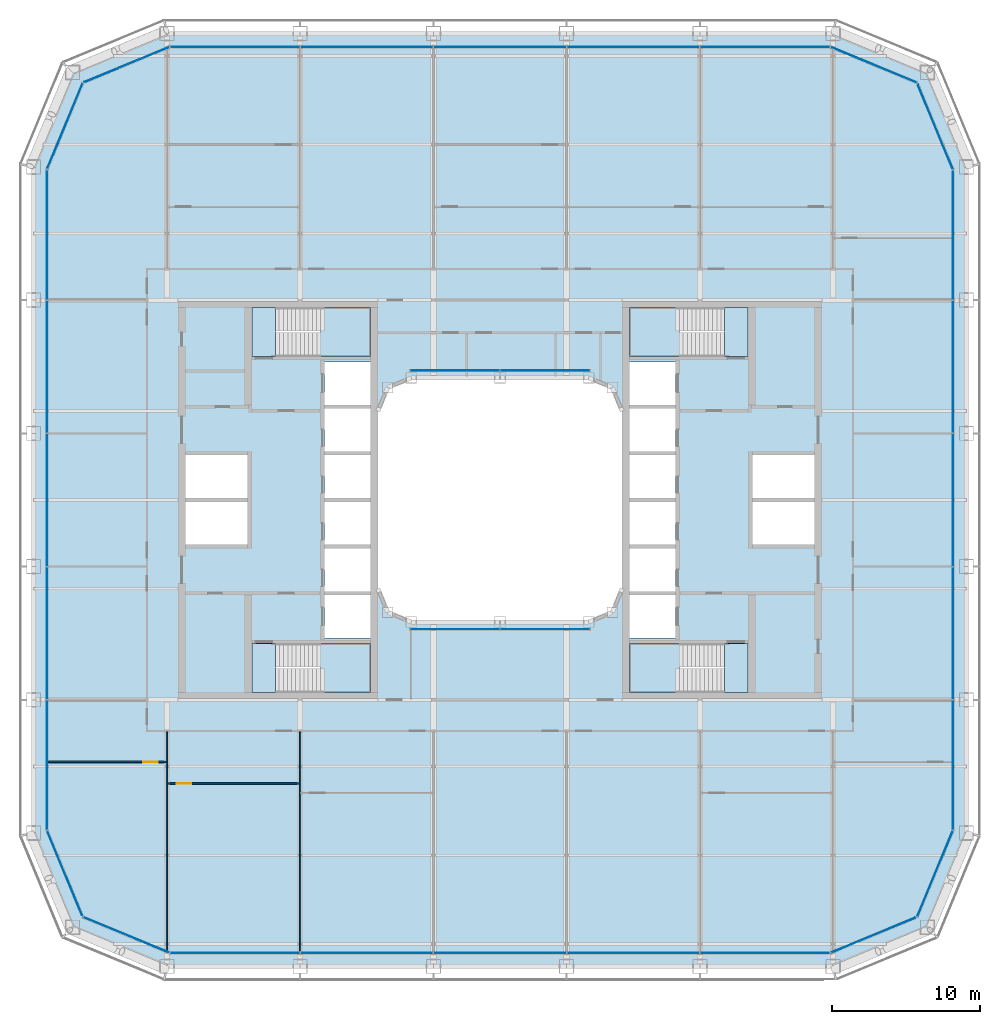
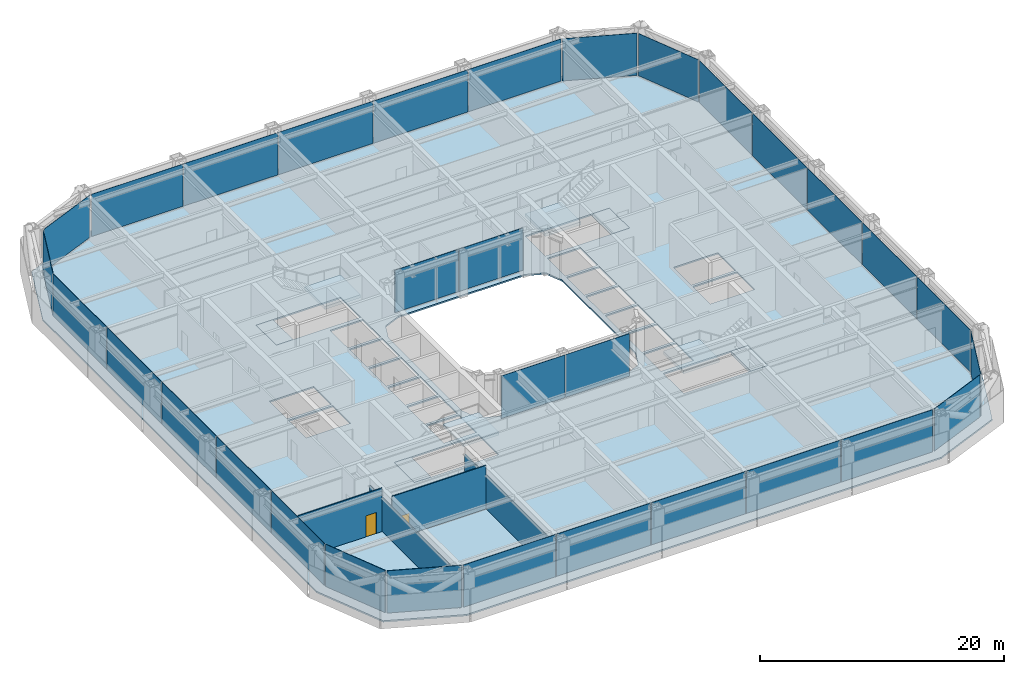
# One storey, part 11 of 25: 32 plates, 9 slabs, 4 walls, 2 doors, 2 openings, 18 elements without a shape of their own.
"""IFC4 building model written with IfcOpenShell, lengths in metres."""

from ifc_helpers import new_model, si_unit, direction, frame, frame_2d, origin, origin_2d, place, context, subcontext, project, spatial, polyline, rectangle, outline, extrude, material, layer, layer_set, type_object, element, fill, aggregate, save


model = new_model("IFC4")

# Units and contexts
model_context = context("Model", 3, precision=1e-05, world=origin(), true_north=direction((0.0, 1.0)))
body_context = subcontext(model_context, "Body", "Model", "MODEL_VIEW")
ifc_project = project(units=[si_unit("LENGTHUNIT", "METRE"), si_unit("AREAUNIT", "SQUARE_METRE"), si_unit("VOLUMEUNIT", "CUBIC_METRE"), si_unit("PLANEANGLEUNIT", "RADIAN"), si_unit("MASSUNIT", "GRAM", prefix="KILO")], contexts=[model_context])

# Site, building, storey
site_placement = place(None, origin())
site = spatial("IfcSite", under=ifc_project, at=site_placement, CompositionType="ELEMENT")
building_placement = place(site_placement, origin())
building = spatial("IfcBuilding", under=site, at=building_placement, Name="Siwar Civic Tower", CompositionType="ELEMENT")
storey_placement = place(building_placement, frame((0.0, 0.0, 58.199951171875)))
storey = spatial("IfcBuildingStorey", under=building, at=storey_placement, Name="L12", CompositionType="ELEMENT", Elevation=58.199951171875)

# Stair, slabs
ifc_material_1 = material(Name="Concrete C40/50", Category="concrete")
stair_type = type_object("IfcStairType", Name="CORE-STAIR", PredefinedType="TWO_STRAIGHT_RUN_STAIR", material=ifc_material_1)
stair_1_placement = place(storey_placement, origin())
stair_1 = element("IfcStair", 1, at=stair_1_placement, inside=storey, type_object=stair_type, Name="Exit stair ST1", PredefinedType="TWO_STRAIGHT_RUN_STAIR")
ifc_material_2 = material(Name="Concrete C40/50", Category="concrete")
ifc_layer_1 = layer(ifc_material_2, 0.300048828125)
ifc_layer_set_1 = layer_set([ifc_layer_1], Name="Concrete C40/50")
slab_type_1 = type_object("IfcSlabType", Name="CORE-STAIR-LANDING", PredefinedType="LANDING", material=ifc_layer_set_1)
slab_1_placement = place(storey_placement, frame((0.0, 0.0, -0.300048828125)))
slab_1 = element("IfcSlab", 2, at=slab_1_placement, type_object=slab_type_1, Name="ST1 landing 1", PredefinedType="LANDING", context=body_context, shape_type="SweptSolid", body=[
    extrude(outline(polyline([(-15.14990234375, 13.0), (-16.75, 13.0), (-16.75, 9.699951171875), (-15.14990234375, 9.699951171875), (-15.14990234375, 13.0)])), origin(), (0.0, 0.0, 1.0), 0.300048828125),
])
slab_2_placement = place(storey_placement, frame((0.0, 0.0, 1.949951171875)))
slab_2 = element("IfcSlab", 3, at=slab_2_placement, type_object=slab_type_1, Name="ST1 landing 2", PredefinedType="LANDING", context=body_context, shape_type="SweptSolid", body=[
    extrude(outline(polyline([(-8.75, 13.0), (-12.139892578125, 13.0), (-12.139892578125, 9.699951171875), (-8.75, 9.699951171875), (-8.75, 13.0)])), origin(), (0.0, 0.0, 1.0), 0.300048828125),
])
aggregate(stair_1, [slab_1, slab_2])

stair_2_placement = place(storey_placement, origin())
stair_2 = element("IfcStair", 4, at=stair_2_placement, inside=storey, type_object=stair_type, Name="Exit stair ST2", PredefinedType="TWO_STRAIGHT_RUN_STAIR")
slab_3_placement = place(storey_placement, frame((0.0, 0.0, -0.300048828125)))
slab_3 = element("IfcSlab", 5, at=slab_3_placement, type_object=slab_type_1, Name="ST2 landing 1", PredefinedType="LANDING", context=body_context, shape_type="SweptSolid", body=[
    extrude(outline(polyline([(-15.14990234375, -9.699951171875), (-16.75, -9.699951171875), (-16.75, -13.0), (-15.14990234375, -13.0), (-15.14990234375, -9.699951171875)])), origin(), (0.0, 0.0, 1.0), 0.300048828125),
])
slab_4_placement = place(storey_placement, frame((0.0, 0.0, 1.949951171875)))
slab_4 = element("IfcSlab", 6, at=slab_4_placement, type_object=slab_type_1, Name="ST2 landing 2", PredefinedType="LANDING", context=body_context, shape_type="SweptSolid", body=[
    extrude(outline(polyline([(-8.75, -9.699951171875), (-12.139892578125, -9.699951171875), (-12.139892578125, -13.0), (-8.75, -13.0), (-8.75, -9.699951171875)])), origin(), (0.0, 0.0, 1.0), 0.300048828125),
])
aggregate(stair_2, [slab_3, slab_4])

stair_3_placement = place(storey_placement, origin())
stair_3 = element("IfcStair", 7, at=stair_3_placement, inside=storey, type_object=stair_type, Name="Exit stair ST3", PredefinedType="TWO_STRAIGHT_RUN_STAIR")
slab_5_placement = place(storey_placement, frame((0.0, 0.0, -0.300048828125)))
slab_5 = element("IfcSlab", 8, at=slab_5_placement, type_object=slab_type_1, Name="ST3 landing 1", PredefinedType="LANDING", context=body_context, shape_type="SweptSolid", body=[
    extrude(outline(polyline([(15.14990234375, 9.699951171875), (16.75, 9.699951171875), (16.75, 13.0), (15.14990234375, 13.0), (15.14990234375, 9.699951171875)])), origin(), (0.0, 0.0, 1.0), 0.300048828125),
])
slab_6_placement = place(storey_placement, frame((0.0, 0.0, 1.949951171875)))
slab_6 = element("IfcSlab", 9, at=slab_6_placement, type_object=slab_type_1, Name="ST3 landing 2", PredefinedType="LANDING", context=body_context, shape_type="SweptSolid", body=[
    extrude(outline(polyline([(8.75, 9.699951171875), (12.139892578125, 9.699951171875), (12.139892578125, 13.0), (8.75, 13.0), (8.75, 9.699951171875)])), origin(), (0.0, 0.0, 1.0), 0.300048828125),
])
aggregate(stair_3, [slab_5, slab_6])

stair_4_placement = place(storey_placement, origin())
stair_4 = element("IfcStair", 10, at=stair_4_placement, inside=storey, type_object=stair_type, Name="Exit stair ST4", PredefinedType="TWO_STRAIGHT_RUN_STAIR")
slab_7_placement = place(storey_placement, frame((0.0, 0.0, -0.300048828125)))
slab_7 = element("IfcSlab", 11, at=slab_7_placement, type_object=slab_type_1, Name="ST4 landing 1", PredefinedType="LANDING", context=body_context, shape_type="SweptSolid", body=[
    extrude(outline(polyline([(15.14990234375, -13.0), (16.75, -13.0), (16.75, -9.699951171875), (15.14990234375, -9.699951171875), (15.14990234375, -13.0)])), origin(), (0.0, 0.0, 1.0), 0.300048828125),
])
slab_8_placement = place(storey_placement, frame((0.0, 0.0, 1.949951171875)))
slab_8 = element("IfcSlab", 12, at=slab_8_placement, type_object=slab_type_1, Name="ST4 landing 2", PredefinedType="LANDING", context=body_context, shape_type="SweptSolid", body=[
    extrude(outline(polyline([(8.75, -13.0), (12.139892578125, -13.0), (12.139892578125, -9.699951171875), (8.75, -9.699951171875), (8.75, -13.0)])), origin(), (0.0, 0.0, 1.0), 0.300048828125),
])
aggregate(stair_4, [slab_7, slab_8])

# Curtain wall, plates
ifc_material_3 = material(Name="Aluminium and glass", Category="aluminium")
ifc_layer_2 = layer(ifc_material_3, 0.219970703125)
ifc_layer_set_2 = layer_set([ifc_layer_2], Name="Aluminium and glass")
curtain_wall_type_1 = type_object("IfcCurtainWallType", Name="ENV-CW-A", PredefinedType="NOTDEFINED", material=ifc_layer_set_2)
curtain_wall_1_placement = place(storey_placement, origin())
curtain_wall_1 = element("IfcCurtainWall", 13, at=curtain_wall_1_placement, inside=storey, type_object=curtain_wall_type_1, Name="Curtain wall A S", PredefinedType="NOTDEFINED")
ifc_material_4 = material(Name="Glass clear laminated", Category="glass")
ifc_layer_3 = layer(ifc_material_4, 0.035888671875)
ifc_layer_set_3 = layer_set([ifc_layer_3], Name="Glass clear laminated")
plate_type_1 = type_object("IfcPlateType", Name="ENV-PANEL-A", PredefinedType="CURTAIN_PANEL", material=ifc_layer_set_3)
plate_1_placement = place(storey_placement, frame((-17.910400390625, -30.60009765625, 0.1201171875), z_axis=(0.0, 0.0, 1.0), x_axis=(1.0, 0.0, 0.0)))
plate_1 = element("IfcPlate", 14, at=plate_1_placement, type_object=plate_type_1, Name="Curtain panel A S 1", PredefinedType="CURTAIN_PANEL", context=body_context, shape_type="SweptSolid", body=[
    extrude(rectangle(XDim=8.7509765625, YDim=0.035888671875, at=origin_2d()), origin(), (0.0, 0.0, 1.0), 4.22998046875),
])
plate_2_placement = place(storey_placement, frame((-9.0, -30.60009765625, 0.1201171875), z_axis=(0.0, 0.0, 1.0), x_axis=(1.0, 0.0, 0.0)))
plate_2 = element("IfcPlate", 15, at=plate_2_placement, type_object=plate_type_1, Name="Curtain panel A S 2", PredefinedType="CURTAIN_PANEL", context=body_context, shape_type="SweptSolid", body=[
    extrude(rectangle(XDim=8.929931640625, YDim=0.035888671875, at=origin_2d()), origin(), (0.0, 0.0, 1.0), 4.22998046875),
])
plate_3_placement = place(storey_placement, frame((0.0, -30.60009765625, 0.1201171875), z_axis=(0.0, 0.0, 1.0), x_axis=(1.0, 0.0, 0.0)))
plate_3 = element("IfcPlate", 16, at=plate_3_placement, type_object=plate_type_1, Name="Curtain panel A S 3", PredefinedType="CURTAIN_PANEL", context=body_context, shape_type="SweptSolid", body=[
    extrude(rectangle(XDim=8.929931640625, YDim=0.035888671875, at=origin_2d()), origin(), (0.0, 0.0, 1.0), 4.22998046875),
])
plate_4_placement = place(storey_placement, frame((9.0, -30.60009765625, 0.1201171875), z_axis=(0.0, 0.0, 1.0), x_axis=(1.0, 0.0, 0.0)))
plate_4 = element("IfcPlate", 17, at=plate_4_placement, type_object=plate_type_1, Name="Curtain panel A S 4", PredefinedType="CURTAIN_PANEL", context=body_context, shape_type="SweptSolid", body=[
    extrude(rectangle(XDim=8.929931640625, YDim=0.035888671875, at=origin_2d()), origin(), (0.0, 0.0, 1.0), 4.22998046875),
])
plate_5_placement = place(storey_placement, frame((17.86669921875, -30.60009765625, 0.1201171875), z_axis=(0.0, 0.0, 1.0), x_axis=(1.0, 0.0, 0.0)))
plate_5 = element("IfcPlate", 18, at=plate_5_placement, type_object=plate_type_1, Name="Curtain panel A S 5", PredefinedType="CURTAIN_PANEL", context=body_context, shape_type="SweptSolid", body=[
    extrude(rectangle(XDim=8.663330078125, YDim=0.035888671875, at=origin_2d()), origin(), (0.0, 0.0, 1.0), 4.22998046875),
])
aggregate(curtain_wall_1, [plate_1, plate_2, plate_3, plate_4, plate_5])

curtain_wall_2_placement = place(storey_placement, origin())
curtain_wall_2 = element("IfcCurtainWall", 19, at=curtain_wall_2_placement, inside=storey, type_object=curtain_wall_type_1, Name="Curtain wall A E", PredefinedType="NOTDEFINED")
plate_6_placement = place(storey_placement, frame((30.60009765625, -17.910400390625, 0.1201171875), z_axis=(0.0, 0.0, 1.0), x_axis=(0.0, 1.0, 0.0)))
plate_6 = element("IfcPlate", 20, at=plate_6_placement, type_object=plate_type_1, Name="Curtain panel A E 1", PredefinedType="CURTAIN_PANEL", context=body_context, shape_type="SweptSolid", body=[
    extrude(rectangle(XDim=8.7509765625, YDim=0.035888671875, at=origin_2d()), origin(), (0.0, 0.0, 1.0), 4.22998046875),
])
plate_7_placement = place(storey_placement, frame((30.60009765625, -9.0, 0.1201171875), z_axis=(0.0, 0.0, 1.0), x_axis=(0.0, 1.0, 0.0)))
plate_7 = element("IfcPlate", 21, at=plate_7_placement, type_object=plate_type_1, Name="Curtain panel A E 2", PredefinedType="CURTAIN_PANEL", context=body_context, shape_type="SweptSolid", body=[
    extrude(rectangle(XDim=8.929931640625, YDim=0.035888671875, at=origin_2d()), origin(), (0.0, 0.0, 1.0), 4.22998046875),
])
plate_8_placement = place(storey_placement, frame((30.60009765625, 0.0, 0.1201171875), z_axis=(0.0, 0.0, 1.0), x_axis=(0.0, 1.0, 0.0)))
plate_8 = element("IfcPlate", 22, at=plate_8_placement, type_object=plate_type_1, Name="Curtain panel A E 3", PredefinedType="CURTAIN_PANEL", context=body_context, shape_type="SweptSolid", body=[
    extrude(rectangle(XDim=8.929931640625, YDim=0.035888671875, at=origin_2d()), origin(), (0.0, 0.0, 1.0), 4.22998046875),
])
plate_9_placement = place(storey_placement, frame((30.60009765625, 9.0, 0.1201171875), z_axis=(0.0, 0.0, 1.0), x_axis=(0.0, 1.0, 0.0)))
plate_9 = element("IfcPlate", 23, at=plate_9_placement, type_object=plate_type_1, Name="Curtain panel A E 4", PredefinedType="CURTAIN_PANEL", context=body_context, shape_type="SweptSolid", body=[
    extrude(rectangle(XDim=8.929931640625, YDim=0.035888671875, at=origin_2d()), origin(), (0.0, 0.0, 1.0), 4.22998046875),
])
plate_10_placement = place(storey_placement, frame((30.60009765625, 17.86669921875, 0.1201171875), z_axis=(0.0, 0.0, 1.0), x_axis=(0.0, 1.0, 0.0)))
plate_10 = element("IfcPlate", 24, at=plate_10_placement, type_object=plate_type_1, Name="Curtain panel A E 5", PredefinedType="CURTAIN_PANEL", context=body_context, shape_type="SweptSolid", body=[
    extrude(rectangle(XDim=8.663330078125, YDim=0.035888671875, at=origin_2d()), origin(), (0.0, 0.0, 1.0), 4.22998046875),
])
aggregate(curtain_wall_2, [plate_6, plate_7, plate_8, plate_9, plate_10])

curtain_wall_3_placement = place(storey_placement, origin())
curtain_wall_3 = element("IfcCurtainWall", 25, at=curtain_wall_3_placement, inside=storey, type_object=curtain_wall_type_1, Name="Curtain wall A N", PredefinedType="NOTDEFINED")
plate_11_placement = place(storey_placement, frame((17.910400390625, 30.60009765625, 0.1201171875), z_axis=(0.0, 0.0, 1.0), x_axis=(-1.0, 0.0, 0.0)))
plate_11 = element("IfcPlate", 26, at=plate_11_placement, type_object=plate_type_1, Name="Curtain panel A N 1", PredefinedType="CURTAIN_PANEL", context=body_context, shape_type="SweptSolid", body=[
    extrude(rectangle(XDim=8.7509765625, YDim=0.035888671875, at=origin_2d()), origin(), (0.0, 0.0, 1.0), 4.22998046875),
])
plate_12_placement = place(storey_placement, frame((9.0, 30.60009765625, 0.1201171875), z_axis=(0.0, 0.0, 1.0), x_axis=(-1.0, 0.0, 0.0)))
plate_12 = element("IfcPlate", 27, at=plate_12_placement, type_object=plate_type_1, Name="Curtain panel A N 2", PredefinedType="CURTAIN_PANEL", context=body_context, shape_type="SweptSolid", body=[
    extrude(rectangle(XDim=8.929931640625, YDim=0.035888671875, at=origin_2d()), origin(), (0.0, 0.0, 1.0), 4.22998046875),
])
plate_13_placement = place(storey_placement, frame((0.0, 30.60009765625, 0.1201171875), z_axis=(0.0, 0.0, 1.0), x_axis=(-1.0, 0.0, 0.0)))
plate_13 = element("IfcPlate", 28, at=plate_13_placement, type_object=plate_type_1, Name="Curtain panel A N 3", PredefinedType="CURTAIN_PANEL", context=body_context, shape_type="SweptSolid", body=[
    extrude(rectangle(XDim=8.929931640625, YDim=0.035888671875, at=origin_2d()), origin(), (0.0, 0.0, 1.0), 4.22998046875),
])
plate_14_placement = place(storey_placement, frame((-9.0, 30.60009765625, 0.1201171875), z_axis=(0.0, 0.0, 1.0), x_axis=(-1.0, 0.0, 0.0)))
plate_14 = element("IfcPlate", 29, at=plate_14_placement, type_object=plate_type_1, Name="Curtain panel A N 4", PredefinedType="CURTAIN_PANEL", context=body_context, shape_type="SweptSolid", body=[
    extrude(rectangle(XDim=8.929931640625, YDim=0.035888671875, at=origin_2d()), origin(), (0.0, 0.0, 1.0), 4.22998046875),
])
plate_15_placement = place(storey_placement, frame((-17.86669921875, 30.60009765625, 0.1201171875), z_axis=(0.0, 0.0, 1.0), x_axis=(-1.0, 0.0, 0.0)))
plate_15 = element("IfcPlate", 30, at=plate_15_placement, type_object=plate_type_1, Name="Curtain panel A N 5", PredefinedType="CURTAIN_PANEL", context=body_context, shape_type="SweptSolid", body=[
    extrude(rectangle(XDim=8.663330078125, YDim=0.035888671875, at=origin_2d()), origin(), (0.0, 0.0, 1.0), 4.22998046875),
])
aggregate(curtain_wall_3, [plate_11, plate_12, plate_13, plate_14, plate_15])

curtain_wall_4_placement = place(storey_placement, origin())
curtain_wall_4 = element("IfcCurtainWall", 31, at=curtain_wall_4_placement, inside=storey, type_object=curtain_wall_type_1, Name="Curtain wall A W", PredefinedType="NOTDEFINED")
plate_16_placement = place(storey_placement, frame((-30.60009765625, 17.910400390625, 0.1201171875), z_axis=(0.0, 0.0, 1.0), x_axis=(0.0, -1.0, 0.0)))
plate_16 = element("IfcPlate", 32, at=plate_16_placement, type_object=plate_type_1, Name="Curtain panel A W 1", PredefinedType="CURTAIN_PANEL", context=body_context, shape_type="SweptSolid", body=[
    extrude(rectangle(XDim=8.7509765625, YDim=0.035888671875, at=origin_2d()), origin(), (0.0, 0.0, 1.0), 4.22998046875),
])
plate_17_placement = place(storey_placement, frame((-30.60009765625, 9.0, 0.1201171875), z_axis=(0.0, 0.0, 1.0), x_axis=(0.0, -1.0, 0.0)))
plate_17 = element("IfcPlate", 33, at=plate_17_placement, type_object=plate_type_1, Name="Curtain panel A W 2", PredefinedType="CURTAIN_PANEL", context=body_context, shape_type="SweptSolid", body=[
    extrude(rectangle(XDim=8.929931640625, YDim=0.035888671875, at=origin_2d()), origin(), (0.0, 0.0, 1.0), 4.22998046875),
])
plate_18_placement = place(storey_placement, frame((-30.60009765625, 0.0, 0.1201171875), z_axis=(0.0, 0.0, 1.0), x_axis=(0.0, -1.0, 0.0)))
plate_18 = element("IfcPlate", 34, at=plate_18_placement, type_object=plate_type_1, Name="Curtain panel A W 3", PredefinedType="CURTAIN_PANEL", context=body_context, shape_type="SweptSolid", body=[
    extrude(rectangle(XDim=8.929931640625, YDim=0.035888671875, at=origin_2d()), origin(), (0.0, 0.0, 1.0), 4.22998046875),
])
plate_19_placement = place(storey_placement, frame((-30.60009765625, -9.0, 0.1201171875), z_axis=(0.0, 0.0, 1.0), x_axis=(0.0, -1.0, 0.0)))
plate_19 = element("IfcPlate", 35, at=plate_19_placement, type_object=plate_type_1, Name="Curtain panel A W 4", PredefinedType="CURTAIN_PANEL", context=body_context, shape_type="SweptSolid", body=[
    extrude(rectangle(XDim=8.929931640625, YDim=0.035888671875, at=origin_2d()), origin(), (0.0, 0.0, 1.0), 4.22998046875),
])
plate_20_placement = place(storey_placement, frame((-30.60009765625, -17.86669921875, 0.1201171875), z_axis=(0.0, 0.0, 1.0), x_axis=(0.0, -1.0, 0.0)))
plate_20 = element("IfcPlate", 36, at=plate_20_placement, type_object=plate_type_1, Name="Curtain panel A W 5", PredefinedType="CURTAIN_PANEL", context=body_context, shape_type="SweptSolid", body=[
    extrude(rectangle(XDim=8.663330078125, YDim=0.035888671875, at=origin_2d()), origin(), (0.0, 0.0, 1.0), 4.22998046875),
])
aggregate(curtain_wall_4, [plate_16, plate_17, plate_18, plate_19, plate_20])

# Curtain wall, plate
ifc_material_5 = material(Name="Aluminium clad insulated panel", Category="aluminium")
ifc_layer_4 = layer(ifc_material_5, 0.219970703125)
ifc_layer_set_4 = layer_set([ifc_layer_4], Name="Aluminium clad insulated panel")
curtain_wall_type_2 = type_object("IfcCurtainWallType", Name="ENV-CW-AX", PredefinedType="NOTDEFINED", material=ifc_layer_set_4)
curtain_wall_5_placement = place(storey_placement, origin())
curtain_wall_5 = element("IfcCurtainWall", 37, at=curtain_wall_5_placement, inside=storey, type_object=curtain_wall_type_2, Name="Curtain wall A SE1", PredefinedType="NOTDEFINED")
ifc_material_6 = material(Name="Aluminium clad insulated panel", Category="aluminium")
ifc_layer_5 = layer(ifc_material_6, 0.035888671875)
ifc_layer_set_5 = layer_set([ifc_layer_5], Name="Aluminium clad insulated panel")
plate_type_2 = type_object("IfcPlateType", Name="ENV-PANEL-AX", PredefinedType="CURTAIN_PANEL", material=ifc_layer_set_5)
plate_21_placement = place(storey_placement, frame((25.20751953125, -29.404296875, 0.1201171875), z_axis=(0.0, 0.0, 1.0), x_axis=(0.923879532511, 0.382683432365, 0.0)))
plate_21 = element("IfcPlate", 38, at=plate_21_placement, type_object=plate_type_2, Name="Curtain panel A SE1 1", PredefinedType="CURTAIN_PANEL", context=body_context, shape_type="SweptSolid", body=[
    extrude(rectangle(XDim=6.178955078125, YDim=0.035888671875, at=origin_2d()), origin(), (0.0, 0.0, 1.0), 4.22998046875),
])
aggregate(curtain_wall_5, [plate_21])

curtain_wall_6_placement = place(storey_placement, origin())
curtain_wall_6 = element("IfcCurtainWall", 39, at=curtain_wall_6_placement, inside=storey, type_object=curtain_wall_type_2, Name="Curtain wall A SE2", PredefinedType="NOTDEFINED")
plate_22_placement = place(storey_placement, frame((29.370849609375, -25.28857421875, 0.1201171875), z_axis=(0.0, 0.0, 1.0), x_axis=(0.382683432365, 0.923879532511, 0.0)))
plate_22 = element("IfcPlate", 40, at=plate_22_placement, type_object=plate_type_2, Name="Curtain panel A SE2 1", PredefinedType="CURTAIN_PANEL", context=body_context, shape_type="SweptSolid", body=[
    extrude(rectangle(XDim=6.178955078125, YDim=0.035888671875, at=origin_2d()), origin(), (0.0, 0.0, 1.0), 4.22998046875),
])
aggregate(curtain_wall_6, [plate_22])

curtain_wall_7_placement = place(storey_placement, origin())
curtain_wall_7 = element("IfcCurtainWall", 41, at=curtain_wall_7_placement, inside=storey, type_object=curtain_wall_type_2, Name="Curtain wall A NE1", PredefinedType="NOTDEFINED")
plate_23_placement = place(storey_placement, frame((29.404296875, 25.20751953125, 0.1201171875), z_axis=(0.0, 0.0, 1.0), x_axis=(-0.382683432365, 0.923879532511, 0.0)))
plate_23 = element("IfcPlate", 42, at=plate_23_placement, type_object=plate_type_2, Name="Curtain panel A NE1 1", PredefinedType="CURTAIN_PANEL", context=body_context, shape_type="SweptSolid", body=[
    extrude(rectangle(XDim=6.178955078125, YDim=0.035888671875, at=origin_2d()), origin(), (0.0, 0.0, 1.0), 4.22998046875),
])
aggregate(curtain_wall_7, [plate_23])

curtain_wall_8_placement = place(storey_placement, origin())
curtain_wall_8 = element("IfcCurtainWall", 43, at=curtain_wall_8_placement, inside=storey, type_object=curtain_wall_type_2, Name="Curtain wall A NE2", PredefinedType="NOTDEFINED")
plate_24_placement = place(storey_placement, frame((25.28857421875, 29.370849609375, 0.1201171875), z_axis=(0.0, 0.0, 1.0), x_axis=(-0.923879532511, 0.382683432365, 0.0)))
plate_24 = element("IfcPlate", 44, at=plate_24_placement, type_object=plate_type_2, Name="Curtain panel A NE2 1", PredefinedType="CURTAIN_PANEL", context=body_context, shape_type="SweptSolid", body=[
    extrude(rectangle(XDim=6.178955078125, YDim=0.035888671875, at=origin_2d()), origin(), (0.0, 0.0, 1.0), 4.22998046875),
])
aggregate(curtain_wall_8, [plate_24])

curtain_wall_9_placement = place(storey_placement, origin())
curtain_wall_9 = element("IfcCurtainWall", 45, at=curtain_wall_9_placement, inside=storey, type_object=curtain_wall_type_2, Name="Curtain wall A NW1", PredefinedType="NOTDEFINED")
plate_25_placement = place(storey_placement, frame((-25.20751953125, 29.404296875, 0.1201171875), z_axis=(0.0, 0.0, 1.0), x_axis=(-0.923879532511, -0.382683432365, 0.0)))
plate_25 = element("IfcPlate", 46, at=plate_25_placement, type_object=plate_type_2, Name="Curtain panel A NW1 1", PredefinedType="CURTAIN_PANEL", context=body_context, shape_type="SweptSolid", body=[
    extrude(rectangle(XDim=6.178955078125, YDim=0.035888671875, at=origin_2d()), origin(), (0.0, 0.0, 1.0), 4.22998046875),
])
aggregate(curtain_wall_9, [plate_25])

curtain_wall_10_placement = place(storey_placement, origin())
curtain_wall_10 = element("IfcCurtainWall", 47, at=curtain_wall_10_placement, inside=storey, type_object=curtain_wall_type_2, Name="Curtain wall A NW2", PredefinedType="NOTDEFINED")
plate_26_placement = place(storey_placement, frame((-29.370849609375, 25.28857421875, 0.1201171875), z_axis=(0.0, 0.0, 1.0), x_axis=(-0.382683432365, -0.923879532511, 0.0)))
plate_26 = element("IfcPlate", 48, at=plate_26_placement, type_object=plate_type_2, Name="Curtain panel A NW2 1", PredefinedType="CURTAIN_PANEL", context=body_context, shape_type="SweptSolid", body=[
    extrude(rectangle(XDim=6.178955078125, YDim=0.035888671875, at=origin_2d()), origin(), (0.0, 0.0, 1.0), 4.22998046875),
])
aggregate(curtain_wall_10, [plate_26])

curtain_wall_11_placement = place(storey_placement, origin())
curtain_wall_11 = element("IfcCurtainWall", 49, at=curtain_wall_11_placement, inside=storey, type_object=curtain_wall_type_2, Name="Curtain wall A SW1", PredefinedType="NOTDEFINED")
plate_27_placement = place(storey_placement, frame((-29.404296875, -25.20751953125, 0.1201171875), z_axis=(0.0, 0.0, 1.0), x_axis=(0.382683432365, -0.923879532511, 0.0)))
plate_27 = element("IfcPlate", 50, at=plate_27_placement, type_object=plate_type_2, Name="Curtain panel A SW1 1", PredefinedType="CURTAIN_PANEL", context=body_context, shape_type="SweptSolid", body=[
    extrude(rectangle(XDim=6.178955078125, YDim=0.035888671875, at=origin_2d()), origin(), (0.0, 0.0, 1.0), 4.22998046875),
])
aggregate(curtain_wall_11, [plate_27])

curtain_wall_12_placement = place(storey_placement, origin())
curtain_wall_12 = element("IfcCurtainWall", 51, at=curtain_wall_12_placement, inside=storey, type_object=curtain_wall_type_2, Name="Curtain wall A SW2", PredefinedType="NOTDEFINED")
plate_28_placement = place(storey_placement, frame((-25.28857421875, -29.370849609375, 0.1201171875), z_axis=(0.0, 0.0, 1.0), x_axis=(0.923879532511, -0.382683432365, 0.0)))
plate_28 = element("IfcPlate", 52, at=plate_28_placement, type_object=plate_type_2, Name="Curtain panel A SW2 1", PredefinedType="CURTAIN_PANEL", context=body_context, shape_type="SweptSolid", body=[
    extrude(rectangle(XDim=6.178955078125, YDim=0.035888671875, at=origin_2d()), origin(), (0.0, 0.0, 1.0), 4.22998046875),
])
aggregate(curtain_wall_12, [plate_28])

# Curtain wall, plates
ifc_material_7 = material(Name="Aluminium and glass", Category="aluminium")
ifc_layer_6 = layer(ifc_material_7, 0.179931640625)
ifc_layer_set_6 = layer_set([ifc_layer_6], Name="Aluminium and glass")
curtain_wall_type_3 = type_object("IfcCurtainWallType", Name="ENV-CW-W", PredefinedType="NOTDEFINED", material=ifc_layer_set_6)
curtain_wall_13_placement = place(storey_placement, origin())
curtain_wall_13 = element("IfcCurtainWall", 53, at=curtain_wall_13_placement, inside=storey, type_object=curtain_wall_type_3, Name="Curtain wall W WS", PredefinedType="NOTDEFINED")
ifc_material_8 = material(Name="Glass clear laminated", Category="glass")
ifc_layer_7 = layer(ifc_material_8, 0.031982421875)
ifc_layer_set_7 = layer_set([ifc_layer_7], Name="Glass clear laminated")
plate_type_3 = type_object("IfcPlateType", Name="ENV-PANEL-W", PredefinedType="CURTAIN_PANEL", material=ifc_layer_set_7)
plate_29_placement = place(storey_placement, frame((-3.04833984375, -8.735107421875, 0.10009765625), z_axis=(0.0, 0.0, 1.0), x_axis=(1.0, 0.0, 0.0)))
plate_29 = element("IfcPlate", 54, at=plate_29_placement, type_object=plate_type_3, Name="Curtain panel W WS 1", PredefinedType="CURTAIN_PANEL", context=body_context, shape_type="SweptSolid", body=[
    extrude(rectangle(XDim=6.036376953125, YDim=0.031982421875, at=origin_2d()), origin(), (0.0, 0.0, 1.0), 4.25),
])
plate_30_placement = place(storey_placement, frame((3.04833984375, -8.735107421875, 0.10009765625), z_axis=(0.0, 0.0, 1.0), x_axis=(1.0, 0.0, 0.0)))
plate_30 = element("IfcPlate", 55, at=plate_30_placement, type_object=plate_type_3, Name="Curtain panel W WS 2", PredefinedType="CURTAIN_PANEL", context=body_context, shape_type="SweptSolid", body=[
    extrude(rectangle(XDim=6.036376953125, YDim=0.031982421875, at=origin_2d()), origin(), (0.0, 0.0, 1.0), 4.25),
])
aggregate(curtain_wall_13, [plate_29, plate_30])

curtain_wall_14_placement = place(storey_placement, origin())
curtain_wall_14 = element("IfcCurtainWall", 56, at=curtain_wall_14_placement, inside=storey, type_object=curtain_wall_type_3, Name="Curtain wall W WN", PredefinedType="NOTDEFINED")
plate_31_placement = place(storey_placement, frame((3.04833984375, 8.735107421875, 0.10009765625), z_axis=(0.0, 0.0, 1.0), x_axis=(-1.0, 0.0, 0.0)))
plate_31 = element("IfcPlate", 57, at=plate_31_placement, type_object=plate_type_3, Name="Curtain panel W WN 1", PredefinedType="CURTAIN_PANEL", context=body_context, shape_type="SweptSolid", body=[
    extrude(rectangle(XDim=6.036376953125, YDim=0.031982421875, at=origin_2d()), origin(), (0.0, 0.0, 1.0), 4.25),
])
plate_32_placement = place(storey_placement, frame((-3.04833984375, 8.735107421875, 0.10009765625), z_axis=(0.0, 0.0, 1.0), x_axis=(-1.0, 0.0, 0.0)))
plate_32 = element("IfcPlate", 58, at=plate_32_placement, type_object=plate_type_3, Name="Curtain panel W WN 2", PredefinedType="CURTAIN_PANEL", context=body_context, shape_type="SweptSolid", body=[
    extrude(rectangle(XDim=6.036376953125, YDim=0.031982421875, at=origin_2d()), origin(), (0.0, 0.0, 1.0), 4.25),
])
aggregate(curtain_wall_14, [plate_31, plate_32])

# Slab
ifc_material_9 = material(Name="Concrete C40/50", Category="concrete")
ifc_layer_8 = layer(ifc_material_9, 0.14990234375)
ifc_layer_set_8 = layer_set([ifc_layer_8], Name="Concrete C40/50")
slab_type_2 = type_object("IfcSlabType", Name="STR-FLOOR-DECK-150", PredefinedType="FLOOR", material=ifc_layer_set_8)
slab_9_placement = place(storey_placement, frame((0.0, 0.0, -0.14990234375)))
element("IfcSlab", 59, at=slab_9_placement, inside=storey, type_object=slab_type_2, Name="L12/slab/1", PredefinedType="FLOOR", context=body_context, shape_type="SweptSolid", body=[
    extrude(outline(polyline([(-22.5, -31.5), (22.5, -31.5), (28.864013671875, -28.864013671875), (31.5, -22.5), (31.5, 22.5), (28.864013671875, 28.864013671875), (22.5, 31.5), (-22.5, 31.5), (-28.864013671875, 28.864013671875), (-31.5, 22.5), (-31.5, -22.5), (-28.864013671875, -28.864013671875), (-22.5, -31.5)]), holes=[polyline([(21.25, 3.02490234375), (21.25, 0.125), (17.050048828125, 0.125), (17.050048828125, 3.02490234375), (21.25, 3.02490234375)]), polyline([(17.050048828125, -0.125), (21.25, -0.125), (21.25, -3.02490234375), (17.050048828125, -3.02490234375), (17.050048828125, -0.125)]), polyline([(16.75, 13.0), (16.75, 9.699951171875), (8.75, 9.699951171875), (8.75, 13.0), (16.75, 13.0)]), polyline([(8.75, -9.699951171875), (16.75, -9.699951171875), (16.75, -13.0), (8.75, -13.0), (8.75, -9.699951171875)]), polyline([(11.85009765625, 9.324951171875), (11.85009765625, 6.425048828125), (8.75, 6.425048828125), (8.75, 9.324951171875), (11.85009765625, 9.324951171875)]), polyline([(11.85009765625, 3.02490234375), (11.85009765625, 0.125), (8.75, 0.125), (8.75, 3.02490234375), (11.85009765625, 3.02490234375)]), polyline([(11.85009765625, -0.125), (11.85009765625, -3.02490234375), (8.75, -3.02490234375), (8.75, -0.125), (11.85009765625, -0.125)]), polyline([(11.85009765625, -3.27490234375), (11.85009765625, -6.175048828125), (8.75, -6.175048828125), (8.75, -3.27490234375), (11.85009765625, -3.27490234375)]), polyline([(8.75, 6.175048828125), (11.85009765625, 6.175048828125), (11.85009765625, 3.27490234375), (8.75, 3.27490234375), (8.75, 6.175048828125)]), polyline([(8.75, -6.425048828125), (11.85009765625, -6.425048828125), (11.85009765625, -9.324951171875), (8.75, -9.324951171875), (8.75, -6.425048828125)]), polyline([(-6.0, 8.25), (6.0, 8.25), (7.591064453125, 7.591064453125), (8.25, 6.0), (8.25, -6.0), (7.591064453125, -7.591064453125), (6.0, -8.25), (-6.0, -8.25), (-7.591064453125, -7.591064453125), (-8.25, -6.0), (-8.25, 6.0), (-7.591064453125, 7.591064453125), (-6.0, 8.25)]), polyline([(-8.75, 9.699951171875), (-16.75, 9.699951171875), (-16.75, 13.0), (-8.75, 13.0), (-8.75, 9.699951171875)]), polyline([(-8.75, 0.125), (-11.85009765625, 0.125), (-11.85009765625, 3.02490234375), (-8.75, 3.02490234375), (-8.75, 0.125)]), polyline([(-8.75, -6.175048828125), (-11.85009765625, -6.175048828125), (-11.85009765625, -3.27490234375), (-8.75, -3.27490234375), (-8.75, -6.175048828125)]), polyline([(-8.75, -9.324951171875), (-11.85009765625, -9.324951171875), (-11.85009765625, -6.425048828125), (-8.75, -6.425048828125), (-8.75, -9.324951171875)]), polyline([(-8.75, -13.0), (-16.75, -13.0), (-16.75, -9.699951171875), (-8.75, -9.699951171875), (-8.75, -13.0)]), polyline([(-11.85009765625, 6.425048828125), (-11.85009765625, 9.324951171875), (-8.75, 9.324951171875), (-8.75, 6.425048828125), (-11.85009765625, 6.425048828125)]), polyline([(-11.85009765625, 3.27490234375), (-11.85009765625, 6.175048828125), (-8.75, 6.175048828125), (-8.75, 3.27490234375), (-11.85009765625, 3.27490234375)]), polyline([(-11.85009765625, -3.02490234375), (-11.85009765625, -0.125), (-8.75, -0.125), (-8.75, -3.02490234375), (-11.85009765625, -3.02490234375)]), polyline([(-21.25, -3.02490234375), (-21.25, -0.125), (-17.050048828125, -0.125), (-17.050048828125, -3.02490234375), (-21.25, -3.02490234375)]), polyline([(-17.050048828125, 0.125), (-21.25, 0.125), (-21.25, 3.02490234375), (-17.050048828125, 3.02490234375), (-17.050048828125, 0.125)])]), origin(), (0.0, 0.0, 1.0), 0.14990234375),
])

# Wall, opening, door
ifc_material_10 = material(Name="Gypsum board on steel studs", Category="steel")
ifc_layer_9 = layer(ifc_material_10, 0.10009765625)
ifc_layer_set_9 = layer_set([ifc_layer_9], Name="Gypsum board on steel studs")
wall_type = type_object("IfcWallType", Name="PARTITION 100 GYPSUM", PredefinedType="PARTITIONING", material=ifc_layer_set_9)
wall_1_placement = place(storey_placement, frame((-22.449951171875, -19.159912109375, 0.0), z_axis=(0.0, 0.0, 1.0), x_axis=(1.0, 0.0, 0.0)))
wall_1 = element("IfcWall", 60, at=wall_1_placement, inside=storey, type_object=wall_type, Name="L12/wall/P03", PredefinedType="PARTITIONING", context=body_context, shape_type="SweptSolid", body=[
    extrude(rectangle(XDim=8.89990234375, YDim=0.10009765625, at=frame_2d((4.449951171875, 0.0))), origin(), (0.0, 0.0, 1.0), 4.35009765625),
])
opening_1_placement = place(wall_1_placement, frame((0.60009765625, 0.0, 0.0)))
opening_1 = element("IfcOpeningElement", 61, at=opening_1_placement, cuts=wall_1, Name="Opening D2", PredefinedType="OPENING", context=body_context, shape_type="SweptSolid", body=[
    extrude(rectangle(XDim=1.0, YDim=2.10009765625, at=frame_2d((0.5, 1.050048828125))), frame((0.0, 0.06005859375, 0.0), z_axis=(0.0, -1.0, 0.0), x_axis=(1.0, 0.0, 0.0)), (0.0, 0.0, 1.0), 0.1201171875),
])
ifc_material_11 = material(Name="Timber, painted", Category="wood")
door_type = type_object("IfcDoorType", Name="DOOR 1000 X 2100", OperationType="SINGLE_SWING_LEFT", PredefinedType="DOOR", material=ifc_material_11)
door_1_placement = place(opening_1_placement, origin())
door_1 = element("IfcDoor", 62, at=door_1_placement, inside=storey, type_object=door_type, Name="L12-D13", OperationType="SINGLE_SWING_LEFT", OverallHeight=2.10009765625, OverallWidth=1.0, PredefinedType="DOOR", context=body_context, shape_type="SweptSolid", body=[
    extrude(rectangle(XDim=1.0, YDim=2.10009765625, at=frame_2d((0.5, 1.050048828125))), frame((0.0, 0.02490234375, 0.0), z_axis=(0.0, -1.0, 0.0), x_axis=(1.0, 0.0, 0.0)), (0.0, 0.0, 1.0), 0.050048828125),
])
fill(opening_1, door_1)

wall_2_placement = place(storey_placement, frame((-30.510009765625, -17.699951171875, 0.0), z_axis=(0.0, 0.0, 1.0), x_axis=(1.0, 0.0, 0.0)))
wall_2 = element("IfcWall", 63, at=wall_2_placement, inside=storey, type_object=wall_type, Name="L12/wall/P04", PredefinedType="PARTITIONING", context=body_context, shape_type="SweptSolid", body=[
    extrude(rectangle(XDim=7.9599609375, YDim=0.10009765625, at=frame_2d((3.97998046875, 0.0))), origin(), (0.0, 0.0, 1.0), 4.35009765625),
])
opening_2_placement = place(wall_2_placement, frame((6.39990234375, 0.0, 0.0)))
opening_2 = element("IfcOpeningElement", 64, at=opening_2_placement, cuts=wall_2, Name="Opening D2", PredefinedType="OPENING", context=body_context, shape_type="SweptSolid", body=[
    extrude(rectangle(XDim=1.0, YDim=2.10009765625, at=frame_2d((0.5, 1.050048828125))), frame((0.0, 0.06005859375, 0.0), z_axis=(0.0, -1.0, 0.0), x_axis=(1.0, 0.0, 0.0)), (0.0, 0.0, 1.0), 0.1201171875),
])
door_2_placement = place(opening_2_placement, origin())
door_2 = element("IfcDoor", 65, at=door_2_placement, inside=storey, type_object=door_type, Name="L12-D24", OperationType="SINGLE_SWING_RIGHT", OverallHeight=2.10009765625, OverallWidth=1.0, PredefinedType="DOOR", context=body_context, shape_type="SweptSolid", body=[
    extrude(rectangle(XDim=1.0, YDim=2.10009765625, at=frame_2d((0.5, 1.050048828125))), frame((0.0, 0.02490234375, 0.0), z_axis=(0.0, -1.0, 0.0), x_axis=(1.0, 0.0, 0.0)), (0.0, 0.0, 1.0), 0.050048828125),
])
fill(opening_2, door_2)

# Walls
wall_3_placement = place(storey_placement, frame((-22.5, -30.427978515625, 0.0), z_axis=(0.0, 0.0, 1.0), x_axis=(0.0, 1.0, 0.0)))
element("IfcWall", 66, at=wall_3_placement, inside=storey, type_object=wall_type, Name="L12/wall/P26", PredefinedType="PARTITIONING", context=body_context, shape_type="SweptSolid", body=[
    extrude(rectangle(XDim=14.7529296875, YDim=0.10009765625, at=frame_2d((7.37646484375, 0.0))), origin(), (0.0, 0.0, 1.0), 3.35009765625),
])
wall_4_placement = place(storey_placement, frame((-13.5, -30.510009765625, 0.0), z_axis=(0.0, 0.0, 1.0), x_axis=(0.0, 1.0, 0.0)))
element("IfcWall", 67, at=wall_4_placement, inside=storey, type_object=wall_type, Name="L12/wall/P28", PredefinedType="PARTITIONING", context=body_context, shape_type="SweptSolid", body=[
    extrude(rectangle(XDim=14.8349609375, YDim=0.10009765625, at=frame_2d((7.41748046875, 0.0))), origin(), (0.0, 0.0, 1.0), 3.35009765625),
])

save(model, "model.ifc")
